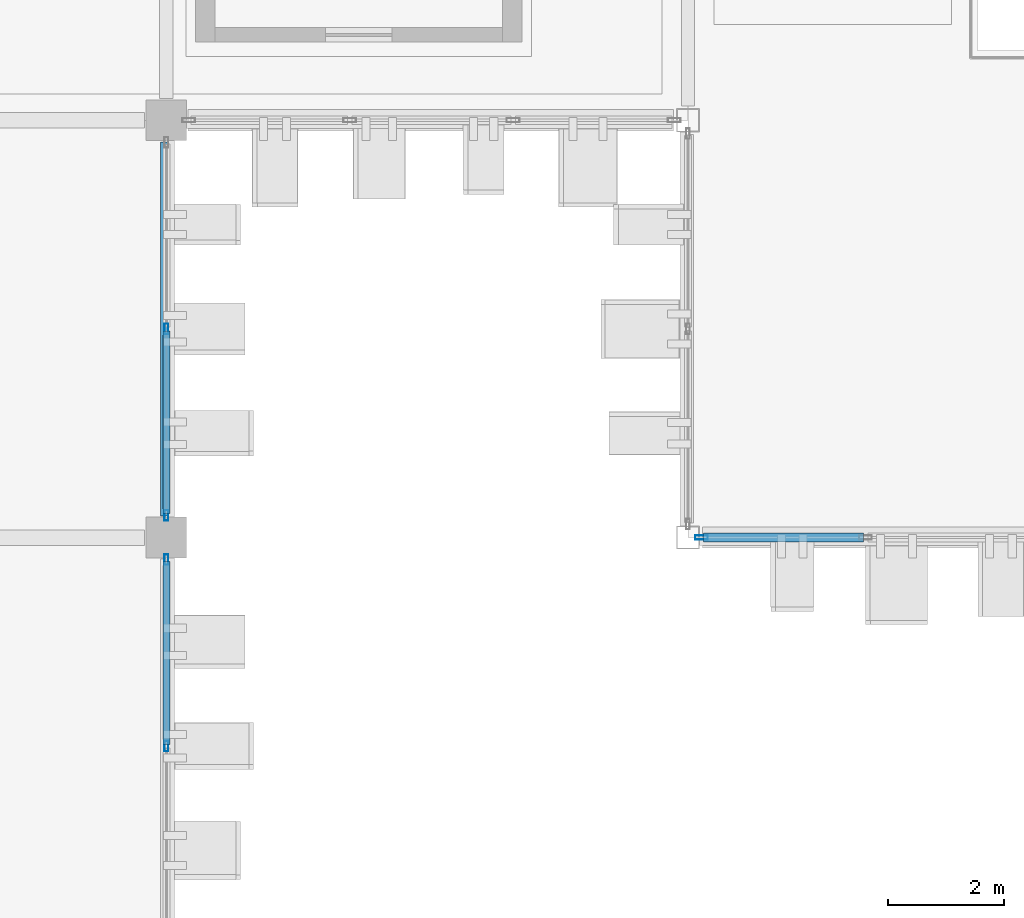
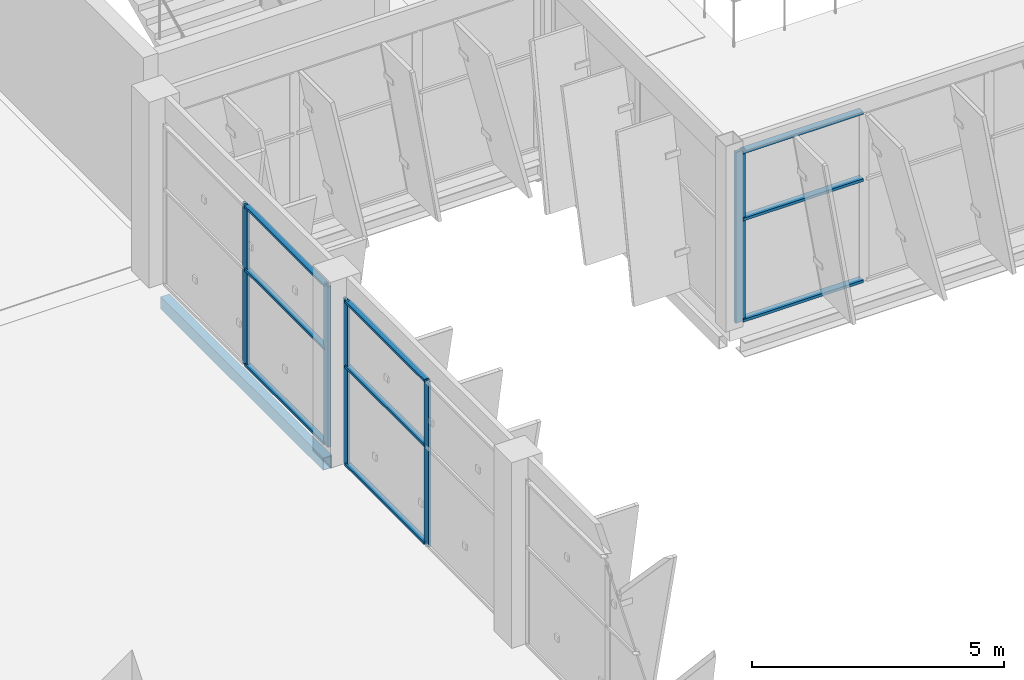
# One storey, part 58 of 151: 14 members, 1 beam, 3 elements without a shape of their own.
"""IFC4 building model written with IfcOpenShell, lengths in metres."""

from ifc_helpers import new_model, si_unit, direction, frame, origin, origin_2d, place, context, subcontext, project, spatial, hollow_rectangle, extrude, material, layer, layer_set, material_profile, profile_set, type_object, element, aggregate, save


model = new_model("IFC4")

# Units and contexts
model_context = context("Model", 3, precision=1e-05, world=origin(), true_north=direction((0.0, 1.0)))
body_context = subcontext(model_context, "Body", "Model", "MODEL_VIEW")
ifc_project = project(units=[si_unit("LENGTHUNIT", "METRE"), si_unit("AREAUNIT", "SQUARE_METRE"), si_unit("VOLUMEUNIT", "CUBIC_METRE"), si_unit("PLANEANGLEUNIT", "RADIAN"), si_unit("MASSUNIT", "GRAM", prefix="KILO")], contexts=[model_context])

# Site, building, storey
site_placement = place(None, origin())
site = spatial("IfcSite", under=ifc_project, at=site_placement, CompositionType="ELEMENT")
building_placement = place(site_placement, origin())
building = spatial("IfcBuilding", under=site, at=building_placement, Name="Celestram Park Convention Centre", CompositionType="ELEMENT")
storey_placement = place(building_placement, frame((0.0, 0.0, 10.800048828125)))
storey = spatial("IfcBuildingStorey", under=building, at=storey_placement, Name="L02", CompositionType="ELEMENT", Elevation=10.800048828125)

# Curtain wall, members
ifc_material_1 = material(Name="Anodised Aluminium Alloy 6063-T6", Category="aluminium")
ifc_layer_1 = layer(ifc_material_1, 0.179931640625)
ifc_layer_set_1 = layer_set([ifc_layer_1], Name="Anodised Aluminium Alloy 6063-T6")
curtain_wall_type_1 = type_object("IfcCurtainWallType", Name="ARC-CW-650X389", PredefinedType="NOTDEFINED", material=ifc_layer_set_1)
curtain_wall_1_placement = place(storey_placement, origin())
curtain_wall_1 = element("IfcCurtainWall", 1, at=curtain_wall_1_placement, inside=storey, type_object=curtain_wall_type_1, Name="Unitised curtain wall CU-L02-181", PredefinedType="NOTDEFINED")
ifc_material_profile_1 = material_profile(ifc_material_1, hollow_rectangle(XDim=0.06494140625, YDim=0.179931640625, WallThickness=0.00390625, at=origin_2d()), Name="ALU65X180X4")
ifc_profile_set_1 = profile_set([ifc_material_profile_1], Name="Anodised Aluminium Alloy 6063-T6")
member_type_1 = type_object("IfcMemberType", Name="ARC-CWM-150", PredefinedType="MULLION", material=ifc_profile_set_1)
member_1_placement = place(storey_placement, frame((144.0, 118.800048828125, 0.0), z_axis=(0.0, 0.0, 1.0), x_axis=(1.0, 0.0, 0.0)))
member_1 = element("IfcMember", 2, at=member_1_placement, type_object=member_type_1, Name="CW-65X38 mullion 2", PredefinedType="MULLION", context=body_context, shape_type="SweptSolid", body=[
    extrude(hollow_rectangle(XDim=0.06494140625, YDim=0.179931640625, WallThickness=0.00390625, at=origin_2d()), origin(), (0.0, 0.0, 1.0), 3.89404296875),
])
member_2_placement = place(storey_placement, frame((144.0, 115.58056640625, 0.0), z_axis=(0.0, 0.0, 1.0), x_axis=(1.0, 0.0, 0.0)))
member_2 = element("IfcMember", 3, at=member_2_placement, type_object=member_type_1, Name="CW-65X38 mullion 3", PredefinedType="MULLION", context=body_context, shape_type="SweptSolid", body=[
    extrude(hollow_rectangle(XDim=0.06494140625, YDim=0.179931640625, WallThickness=0.00390625, at=origin_2d()), origin(), (0.0, 0.0, 1.0), 3.89404296875),
])

ifc_layer_2 = layer(ifc_material_1, 0.179931640625)
ifc_layer_set_2 = layer_set([ifc_layer_2], Name="Anodised Aluminium Alloy 6063-T6")
curtain_wall_type_2 = type_object("IfcCurtainWallType", Name="ARC-CW-650X400", PredefinedType="NOTDEFINED", material=ifc_layer_set_2)
curtain_wall_2_placement = place(storey_placement, origin())
curtain_wall_2 = element("IfcCurtainWall", 4, at=curtain_wall_2_placement, inside=storey, type_object=curtain_wall_type_2, Name="Unitised curtain wall CU-L02-182", PredefinedType="NOTDEFINED")
member_3_placement = place(storey_placement, frame((144.0, 114.819580078125, 0.0), z_axis=(0.0, 0.0, 1.0), x_axis=(1.0, 0.0, 0.0)))
member_3 = element("IfcMember", 5, at=member_3_placement, type_object=member_type_1, Name="CW-65X40 mullion 1", PredefinedType="MULLION", context=body_context, shape_type="SweptSolid", body=[
    extrude(hollow_rectangle(XDim=0.06494140625, YDim=0.179931640625, WallThickness=0.00390625, at=origin_2d()), origin(), (0.0, 0.0, 1.0), 4.0),
])
member_4_placement = place(storey_placement, frame((144.0, 111.60009765625, 0.0), z_axis=(0.0, 0.0, 1.0), x_axis=(1.0, 0.0, 0.0)))
member_4 = element("IfcMember", 6, at=member_4_placement, type_object=member_type_1, Name="CW-65X40 mullion 2", PredefinedType="MULLION", context=body_context, shape_type="SweptSolid", body=[
    extrude(hollow_rectangle(XDim=0.06494140625, YDim=0.179931640625, WallThickness=0.00390625, at=origin_2d()), origin(), (0.0, 0.0, 1.0), 4.0),
])

# Curtain wall, member
ifc_layer_3 = layer(ifc_material_1, 0.179931640625)
ifc_layer_set_3 = layer_set([ifc_layer_3], Name="Anodised Aluminium Alloy 6063-T6")
curtain_wall_type_3 = type_object("IfcCurtainWallType", Name="ARC-CW-860X414", PredefinedType="NOTDEFINED", material=ifc_layer_set_3)
curtain_wall_3_placement = place(storey_placement, origin())
curtain_wall_3 = element("IfcCurtainWall", 7, at=curtain_wall_3_placement, inside=storey, type_object=curtain_wall_type_3, Name="Unitised curtain wall CU-L02-178", PredefinedType="NOTDEFINED")
ifc_material_profile_2 = material_profile(ifc_material_1, hollow_rectangle(XDim=0.074951171875, YDim=0.219970703125, WallThickness=0.00390625, at=origin_2d()), Name="ALU75X220X4")
ifc_profile_set_2 = profile_set([ifc_material_profile_2], Name="Anodised Aluminium Alloy 6063-T6")
member_type_2 = type_object("IfcMemberType", Name="ARC-CWM-180", PredefinedType="MULLION", material=ifc_profile_set_2)
member_5_placement = place(storey_placement, frame((153.235595703125, 115.199951171875, 0.0), z_axis=(0.0, 0.0, 1.0), x_axis=(0.0, -1.0, 0.0)))
member_5 = element("IfcMember", 8, at=member_5_placement, type_object=member_type_2, Name="CW-86X41 mullion 4", PredefinedType="MULLION", context=body_context, shape_type="SweptSolid", body=[
    extrude(hollow_rectangle(XDim=0.074951171875, YDim=0.219970703125, WallThickness=0.00390625, at=origin_2d()), origin(), (0.0, 0.0, 1.0), 4.14404296875),
])

# Member
ifc_material_profile_3 = material_profile(ifc_material_1, hollow_rectangle(XDim=0.1201171875, YDim=0.06005859375, WallThickness=0.0029296875, at=origin_2d()), Name="ALU120X60X3")
ifc_profile_set_3 = profile_set([ifc_material_profile_3], Name="Anodised Aluminium Alloy 6063-T6")
member_type_3 = type_object("IfcMemberType", Name="ARC-CWT-120", PredefinedType="USERDEFINED", material=ifc_profile_set_3)
member_6_placement = place(storey_placement, frame((144.0, 118.767578125, 0.030029296875), z_axis=(0.0, -1.0, 0.0), x_axis=(1.0, 0.0, 0.0)))
member_6 = element("IfcMember", 9, at=member_6_placement, type_object=member_type_3, Name="CW-65X38 transom 2.1", ObjectType="TRANSOM", PredefinedType="USERDEFINED", context=body_context, shape_type="SweptSolid", body=[
    extrude(hollow_rectangle(XDim=0.1201171875, YDim=0.06005859375, WallThickness=0.0029296875, at=origin_2d()), origin(), (0.0, 0.0, 1.0), 3.154541015625),
])

member_7_placement = place(storey_placement, frame((144.0, 118.767578125, 2.3359375), z_axis=(0.0, -1.0, 0.0), x_axis=(1.0, 0.0, 0.0)))
member_7 = element("IfcMember", 10, at=member_7_placement, type_object=member_type_3, Name="CW-65X38 transom 2.2", ObjectType="TRANSOM", PredefinedType="USERDEFINED", context=body_context, shape_type="SweptSolid", body=[
    extrude(hollow_rectangle(XDim=0.1201171875, YDim=0.06005859375, WallThickness=0.0029296875, at=origin_2d()), origin(), (0.0, 0.0, 1.0), 3.154541015625),
])

member_8_placement = place(storey_placement, frame((144.0, 118.767578125, 3.864013671875), z_axis=(0.0, -1.0, 0.0), x_axis=(1.0, 0.0, 0.0)))
member_8 = element("IfcMember", 11, at=member_8_placement, type_object=member_type_3, Name="CW-65X38 transom 2.3", ObjectType="TRANSOM", PredefinedType="USERDEFINED", context=body_context, shape_type="SweptSolid", body=[
    extrude(hollow_rectangle(XDim=0.1201171875, YDim=0.06005859375, WallThickness=0.0029296875, at=origin_2d()), origin(), (0.0, 0.0, 1.0), 3.154541015625),
])

aggregate(curtain_wall_1, [member_1, member_2, member_6, member_7, member_8])

member_9_placement = place(storey_placement, frame((144.0, 114.787109375, 0.030029296875), z_axis=(0.0, -1.0, 0.0), x_axis=(1.0, 0.0, 0.0)))
member_9 = element("IfcMember", 12, at=member_9_placement, type_object=member_type_3, Name="CW-65X40 transom 1.1", ObjectType="TRANSOM", PredefinedType="USERDEFINED", context=body_context, shape_type="SweptSolid", body=[
    extrude(hollow_rectangle(XDim=0.1201171875, YDim=0.06005859375, WallThickness=0.0029296875, at=origin_2d()), origin(), (0.0, 0.0, 1.0), 3.154541015625),
])

member_10_placement = place(storey_placement, frame((144.0, 114.787109375, 2.39990234375), z_axis=(0.0, -1.0, 0.0), x_axis=(1.0, 0.0, 0.0)))
member_10 = element("IfcMember", 13, at=member_10_placement, type_object=member_type_3, Name="CW-65X40 transom 1.2", ObjectType="TRANSOM", PredefinedType="USERDEFINED", context=body_context, shape_type="SweptSolid", body=[
    extrude(hollow_rectangle(XDim=0.1201171875, YDim=0.06005859375, WallThickness=0.0029296875, at=origin_2d()), origin(), (0.0, 0.0, 1.0), 3.154541015625),
])

member_11_placement = place(storey_placement, frame((144.0, 114.787109375, 3.969970703125), z_axis=(0.0, -1.0, 0.0), x_axis=(1.0, 0.0, 0.0)))
member_11 = element("IfcMember", 14, at=member_11_placement, type_object=member_type_3, Name="CW-65X40 transom 1.3", ObjectType="TRANSOM", PredefinedType="USERDEFINED", context=body_context, shape_type="SweptSolid", body=[
    extrude(hollow_rectangle(XDim=0.1201171875, YDim=0.06005859375, WallThickness=0.0029296875, at=origin_2d()), origin(), (0.0, 0.0, 1.0), 3.154541015625),
])

aggregate(curtain_wall_2, [member_3, member_4, member_9, member_10, member_11])

ifc_material_profile_4 = material_profile(ifc_material_1, hollow_rectangle(XDim=0.14990234375, YDim=0.06494140625, WallThickness=0.0029296875, at=origin_2d()), Name="ALU150X65X3")
ifc_profile_set_4 = profile_set([ifc_material_profile_4], Name="Anodised Aluminium Alloy 6063-T6")
member_type_4 = type_object("IfcMemberType", Name="ARC-CWT-150", PredefinedType="USERDEFINED", material=ifc_profile_set_4)
member_12_placement = place(storey_placement, frame((156.028564453125, 115.199951171875, 0.032470703125), z_axis=(-1.0, 0.0, 0.0), x_axis=(0.0, -1.0, 0.0)))
member_12 = element("IfcMember", 15, at=member_12_placement, type_object=member_type_4, Name="CW-86X41 transom 3.1", ObjectType="TRANSOM", PredefinedType="USERDEFINED", context=body_context, shape_type="SweptSolid", body=[
    extrude(hollow_rectangle(XDim=0.14990234375, YDim=0.06494140625, WallThickness=0.0029296875, at=origin_2d()), origin(), (0.0, 0.0, 1.0), 2.755615234375),
])

member_13_placement = place(storey_placement, frame((156.028564453125, 115.199951171875, 2.48583984375), z_axis=(-1.0, 0.0, 0.0), x_axis=(0.0, -1.0, 0.0)))
member_13 = element("IfcMember", 16, at=member_13_placement, type_object=member_type_4, Name="CW-86X41 transom 3.2", ObjectType="TRANSOM", PredefinedType="USERDEFINED", context=body_context, shape_type="SweptSolid", body=[
    extrude(hollow_rectangle(XDim=0.14990234375, YDim=0.06494140625, WallThickness=0.0029296875, at=origin_2d()), origin(), (0.0, 0.0, 1.0), 2.755615234375),
])

member_14_placement = place(storey_placement, frame((156.028564453125, 115.199951171875, 4.111572265625), z_axis=(-1.0, 0.0, 0.0), x_axis=(0.0, -1.0, 0.0)))
member_14 = element("IfcMember", 17, at=member_14_placement, type_object=member_type_4, Name="CW-86X41 transom 3.3", ObjectType="TRANSOM", PredefinedType="USERDEFINED", context=body_context, shape_type="SweptSolid", body=[
    extrude(hollow_rectangle(XDim=0.14990234375, YDim=0.06494140625, WallThickness=0.0029296875, at=origin_2d()), origin(), (0.0, 0.0, 1.0), 2.755615234375),
])

aggregate(curtain_wall_3, [member_5, member_12, member_13, member_14])

# Beam
ifc_material_2 = material(Name="Steel ASTM A500 Grade C", Category="steel")
ifc_material_profile_5 = material_profile(ifc_material_2, hollow_rectangle(XDim=0.199951171875, YDim=0.300048828125, WallThickness=0.011962890625, at=origin_2d()), Name="HSS300X200X12")
ifc_profile_set_5 = profile_set([ifc_material_profile_5], Name="Steel ASTM A500 Grade C")
beam_type = type_object("IfcBeamType", Name="STR-SPN-HSS300X200", PredefinedType="SPANDREL", material=ifc_profile_set_5)
beam_placement = place(storey_placement, frame((144.0, 115.572998046875, -0.429931640625), z_axis=(0.0, 1.0, 0.0), x_axis=(-1.0, 0.0, 0.0)))
element("IfcBeam", 18, at=beam_placement, inside=storey, type_object=beam_type, Name="Primary Y-girder BG-L02-0254", PredefinedType="SPANDREL", context=body_context, shape_type="SweptSolid", body=[
    extrude(hollow_rectangle(XDim=0.199951171875, YDim=0.300048828125, WallThickness=0.011962890625, at=origin_2d()), origin(), (0.0, 0.0, 1.0), 6.4541015625),
])

save(model, "model.ifc")
